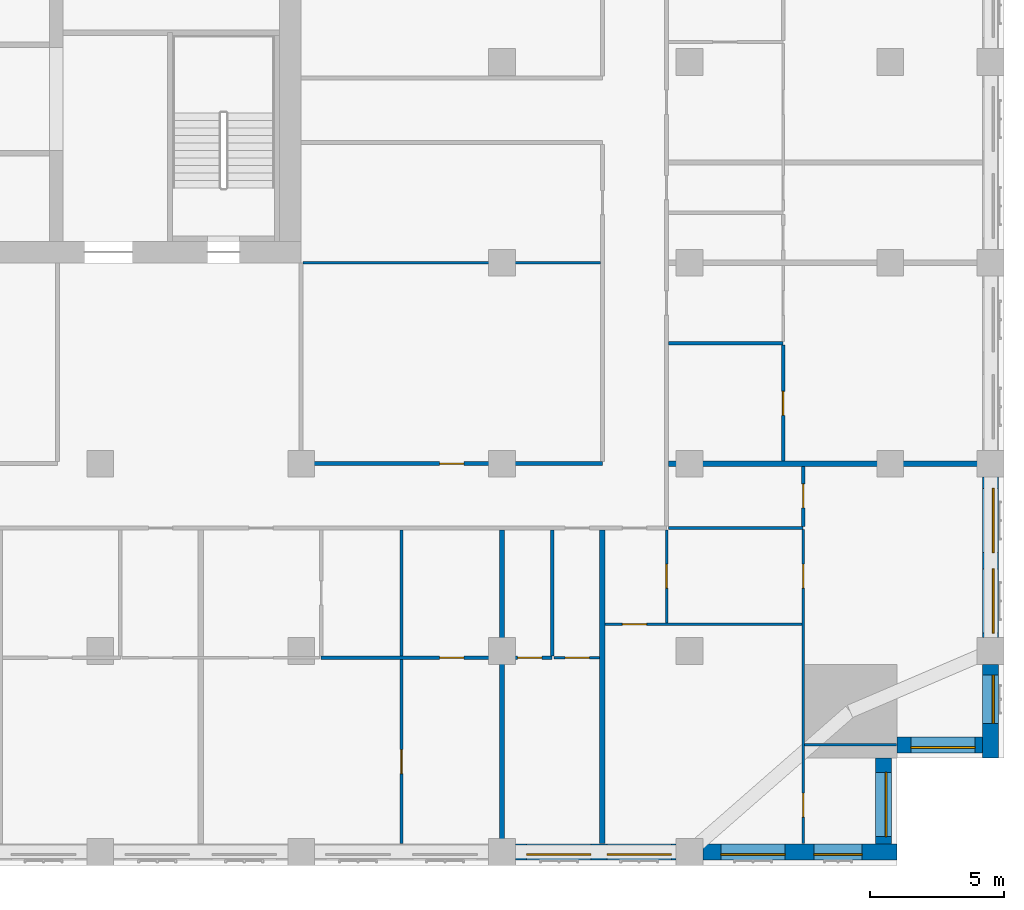
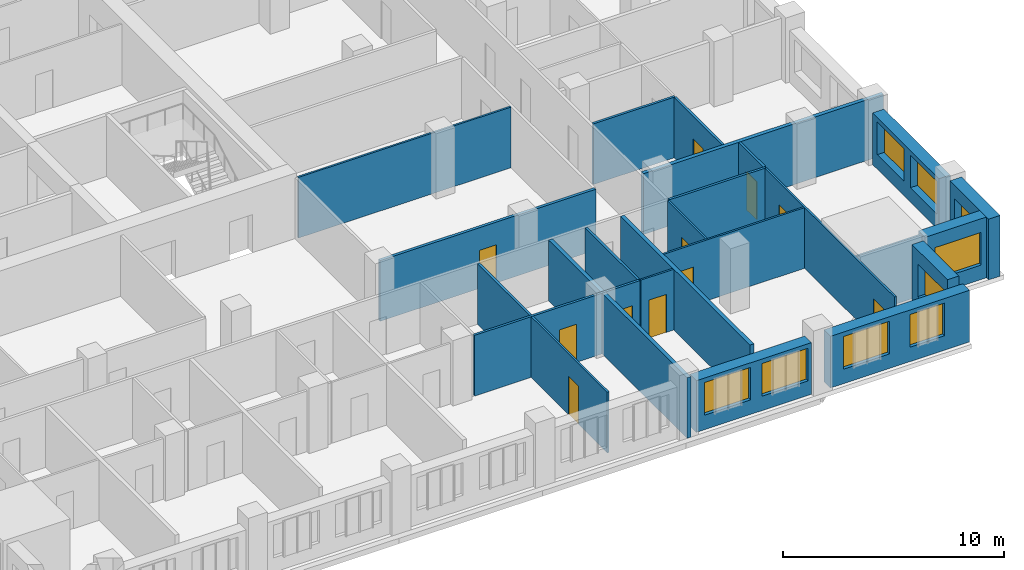
# One storey, part 6 of 14: 24 walls, 11 doors, 9 windows, 20 openings.
"""IFC4 building model written with IfcOpenShell, lengths in metres."""

from ifc_helpers import new_model, si_unit, direction, frame, frame_2d, origin, place, context, subcontext, project, spatial, rectangle, extrude, material, layer, layer_set, type_object, element, fill, save


model = new_model("IFC4")

# Units and contexts
model_context = context("Model", 3, precision=1e-05, world=origin(), true_north=direction((0.0, 1.0)))
body_context = subcontext(model_context, "Body", "Model", "MODEL_VIEW")
ifc_project = project(units=[si_unit("LENGTHUNIT", "METRE"), si_unit("AREAUNIT", "SQUARE_METRE"), si_unit("VOLUMEUNIT", "CUBIC_METRE"), si_unit("PLANEANGLEUNIT", "RADIAN"), si_unit("MASSUNIT", "GRAM", prefix="KILO")], contexts=[model_context])

# Site, building, storey
site_placement = place(None, origin())
site = spatial("IfcSite", under=ifc_project, at=site_placement, CompositionType="ELEMENT")
building_placement = place(site_placement, origin())
building = spatial("IfcBuilding", under=site, at=building_placement, Name="Tamorin Gate", CompositionType="ELEMENT")
storey_placement = place(building_placement, frame((0.0, 0.0, 148.199951171875)))
storey = spatial("IfcBuildingStorey", under=building, at=storey_placement, Name="L36", CompositionType="ELEMENT", Elevation=148.199951171875)

# Wall, openings, windows
ifc_material_1 = material(Name="Precast concrete C40/50", Category="concrete")
ifc_layer_1 = layer(ifc_material_1, 0.60009765625)
ifc_layer_set_1 = layer_set([ifc_layer_1], Name="Precast concrete C40/50")
wall_type_1 = type_object("IfcWallType", Name="Board-marked concrete facade panel 600", PredefinedType="SOLIDWALL", material=ifc_layer_set_1)
wall_1_placement = place(storey_placement, frame((68.0, 38.0, 0.0), z_axis=(0.0, 0.0, 1.0), x_axis=(1.0, 0.0, 0.0)))
wall_1 = element("IfcWall", 1, at=wall_1_placement, inside=storey, type_object=wall_type_1, Name="Facade panel", PredefinedType="SOLIDWALL", context=body_context, shape_type="SweptSolid", body=[
    extrude(rectangle(XDim=6.0, YDim=0.60009765625, at=frame_2d((3.0, 0.0))), origin(), (0.0, 0.0, 1.0), 2.85009765625),
])
opening_1_placement = place(wall_1_placement, frame((0.425048828125, 0.0, 0.800048828125)))
opening_1 = element("IfcOpeningElement", 2, at=opening_1_placement, cuts=wall_1, Name="Opening WN1", PredefinedType="OPENING", context=body_context, shape_type="SweptSolid", body=[
    extrude(rectangle(XDim=2.39990234375, YDim=1.800048828125, at=frame_2d((1.199951171875, 0.89990234375))), frame((0.0, 0.31005859375, 0.0), z_axis=(0.0, -1.0, 0.0), x_axis=(1.0, 0.0, 0.0)), (0.0, 0.0, 1.0), 0.6201171875),
])
opening_2_placement = place(wall_1_placement, frame((3.425048828125, 0.0, 0.800048828125)))
opening_2 = element("IfcOpeningElement", 3, at=opening_2_placement, cuts=wall_1, Name="Opening WN1", PredefinedType="OPENING", context=body_context, shape_type="SweptSolid", body=[
    extrude(rectangle(XDim=2.39990234375, YDim=1.800048828125, at=frame_2d((1.199951171875, 0.89990234375))), frame((0.0, 0.31005859375, 0.0), z_axis=(0.0, -1.0, 0.0), x_axis=(1.0, 0.0, 0.0)), (0.0, 0.0, 1.0), 0.6201171875),
])
ifc_material_2 = material(Name="Clear glass in aluminium frame", Category="aluminium")
window_type_1 = type_object("IfcWindowType", Name="Deep-set window 2400x1800", PartitioningType="SINGLE_PANEL", PredefinedType="WINDOW", material=ifc_material_2)
window_1_placement = place(opening_1_placement, origin())
window_1 = element("IfcWindow", 4, at=window_1_placement, inside=storey, type_object=window_type_1, Name="Deep-set window", OverallHeight=1.800048828125, OverallWidth=2.39990234375, PartitioningType="SINGLE_PANEL", PredefinedType="WINDOW", context=body_context, shape_type="SweptSolid", body=[
    extrude(rectangle(XDim=2.39990234375, YDim=1.800048828125, at=frame_2d((1.199951171875, 0.89990234375))), frame((0.0, -0.070068359375, 0.0), z_axis=(0.0, -1.0, 0.0), x_axis=(1.0, 0.0, 0.0)), (0.0, 0.0, 1.0), 0.06005859375),
])
fill(opening_1, window_1)
window_2_placement = place(opening_2_placement, origin())
window_2 = element("IfcWindow", 5, at=window_2_placement, inside=storey, type_object=window_type_1, Name="Deep-set window", OverallHeight=1.800048828125, OverallWidth=2.39990234375, PartitioningType="SINGLE_PANEL", PredefinedType="WINDOW", context=body_context, shape_type="SweptSolid", body=[
    extrude(rectangle(XDim=2.39990234375, YDim=1.800048828125, at=frame_2d((1.199951171875, 0.89990234375))), frame((0.0, -0.070068359375, 0.0), z_axis=(0.0, -1.0, 0.0), x_axis=(1.0, 0.0, 0.0)), (0.0, 0.0, 1.0), 0.06005859375),
])
fill(opening_2, window_2)

wall_2_placement = place(storey_placement, frame((75.0, 38.0, 0.0), z_axis=(0.0, 0.0, 1.0), x_axis=(1.0, 0.0, 0.0)))
wall_2 = element("IfcWall", 6, at=wall_2_placement, inside=storey, type_object=wall_type_1, Name="Facade panel", PredefinedType="SOLIDWALL", context=body_context, shape_type="SweptSolid", body=[
    extrude(rectangle(XDim=7.25, YDim=0.60009765625, at=frame_2d((3.625, 0.0))), origin(), (0.0, 0.0, 1.0), 2.85009765625),
])
opening_3_placement = place(wall_2_placement, frame((0.675048828125, 0.0, 0.800048828125)))
opening_3 = element("IfcOpeningElement", 7, at=opening_3_placement, cuts=wall_2, Name="Opening WN1", PredefinedType="OPENING", context=body_context, shape_type="SweptSolid", body=[
    extrude(rectangle(XDim=2.39990234375, YDim=1.800048828125, at=frame_2d((1.199951171875, 0.89990234375))), frame((0.0, 0.31005859375, 0.0), z_axis=(0.0, -1.0, 0.0), x_axis=(1.0, 0.0, 0.0)), (0.0, 0.0, 1.0), 0.6201171875),
])
opening_4_placement = place(wall_2_placement, frame((4.14990234375, 0.0, 0.800048828125)))
opening_4 = element("IfcOpeningElement", 8, at=opening_4_placement, cuts=wall_2, Name="Opening WN2", PredefinedType="OPENING", context=body_context, shape_type="SweptSolid", body=[
    extrude(rectangle(XDim=1.800048828125, YDim=1.800048828125, at=frame_2d((0.89990234375, 0.89990234375))), frame((0.0, 0.31005859375, 0.0), z_axis=(0.0, -1.0, 0.0), x_axis=(1.0, 0.0, 0.0)), (0.0, 0.0, 1.0), 0.6201171875),
])
window_type_2 = type_object("IfcWindowType", Name="Deep-set window 1800x1800", PartitioningType="SINGLE_PANEL", PredefinedType="WINDOW", material=ifc_material_2)
window_3_placement = place(opening_4_placement, origin())
window_3 = element("IfcWindow", 9, at=window_3_placement, inside=storey, type_object=window_type_2, Name="Deep-set window", OverallHeight=1.800048828125, OverallWidth=1.800048828125, PartitioningType="SINGLE_PANEL", PredefinedType="WINDOW", context=body_context, shape_type="SweptSolid", body=[
    extrude(rectangle(XDim=1.800048828125, YDim=1.800048828125, at=frame_2d((0.89990234375, 0.89990234375))), frame((0.0, -0.070068359375, 0.0), z_axis=(0.0, -1.0, 0.0), x_axis=(1.0, 0.0, 0.0)), (0.0, 0.0, 1.0), 0.06005859375),
])
fill(opening_4, window_3)
window_4_placement = place(opening_3_placement, origin())
window_4 = element("IfcWindow", 10, at=window_4_placement, inside=storey, type_object=window_type_1, Name="Deep-set window", OverallHeight=1.800048828125, OverallWidth=2.39990234375, PartitioningType="SINGLE_PANEL", PredefinedType="WINDOW", context=body_context, shape_type="SweptSolid", body=[
    extrude(rectangle(XDim=2.39990234375, YDim=1.800048828125, at=frame_2d((1.199951171875, 0.89990234375))), frame((0.0, -0.070068359375, 0.0), z_axis=(0.0, -1.0, 0.0), x_axis=(1.0, 0.0, 0.0)), (0.0, 0.0, 1.0), 0.06005859375),
])
fill(opening_3, window_4)

# Wall, opening, window
wall_3_placement = place(storey_placement, frame((81.75, 38.300048828125, 0.0), z_axis=(0.0, 0.0, 1.0), x_axis=(0.0, 1.0, 0.0)))
wall_3 = element("IfcWall", 11, at=wall_3_placement, inside=storey, type_object=wall_type_1, Name="Facade panel", PredefinedType="SOLIDWALL", context=body_context, shape_type="SweptSolid", body=[
    extrude(rectangle(XDim=3.199951171875, YDim=0.60009765625, at=frame_2d((1.60009765625, 0.0))), origin(), (0.0, 0.0, 1.0), 3.35009765625),
])
opening_5_placement = place(wall_3_placement, frame((0.27490234375, 0.0, 0.800048828125)))
opening_5 = element("IfcOpeningElement", 12, at=opening_5_placement, cuts=wall_3, Name="Opening WN1", PredefinedType="OPENING", context=body_context, shape_type="SweptSolid", body=[
    extrude(rectangle(XDim=2.39990234375, YDim=1.800048828125, at=frame_2d((1.199951171875, 0.89990234375))), frame((0.0, 0.31005859375, 0.0), z_axis=(0.0, -1.0, 0.0), x_axis=(1.0, 0.0, 0.0)), (0.0, 0.0, 1.0), 0.6201171875),
])
window_5_placement = place(opening_5_placement, origin())
window_5 = element("IfcWindow", 13, at=window_5_placement, inside=storey, type_object=window_type_1, Name="Deep-set window", OverallHeight=1.800048828125, OverallWidth=2.39990234375, PartitioningType="SINGLE_PANEL", PredefinedType="WINDOW", context=body_context, shape_type="SweptSolid", body=[
    extrude(rectangle(XDim=2.39990234375, YDim=1.800048828125, at=frame_2d((1.199951171875, 0.89990234375))), frame((0.0, -0.070068359375, 0.0), z_axis=(0.0, -1.0, 0.0), x_axis=(1.0, 0.0, 0.0)), (0.0, 0.0, 1.0), 0.06005859375),
])
fill(opening_5, window_5)

wall_4_placement = place(storey_placement, frame((82.25, 42.0, 0.0), z_axis=(0.0, 0.0, 1.0), x_axis=(1.0, 0.0, 0.0)))
wall_4 = element("IfcWall", 14, at=wall_4_placement, inside=storey, type_object=wall_type_1, Name="Facade panel", PredefinedType="SOLIDWALL", context=body_context, shape_type="SweptSolid", body=[
    extrude(rectangle(XDim=3.199951171875, YDim=0.60009765625, at=frame_2d((1.60009765625, 0.0))), origin(), (0.0, 0.0, 1.0), 3.35009765625),
])
opening_6_placement = place(wall_4_placement, frame((0.52490234375, 0.0, 0.800048828125)))
opening_6 = element("IfcOpeningElement", 15, at=opening_6_placement, cuts=wall_4, Name="Opening WN1", PredefinedType="OPENING", context=body_context, shape_type="SweptSolid", body=[
    extrude(rectangle(XDim=2.39990234375, YDim=1.800048828125, at=frame_2d((1.199951171875, 0.89990234375))), frame((0.0, 0.31005859375, 0.0), z_axis=(0.0, -1.0, 0.0), x_axis=(1.0, 0.0, 0.0)), (0.0, 0.0, 1.0), 0.6201171875),
])
window_6_placement = place(opening_6_placement, origin())
window_6 = element("IfcWindow", 16, at=window_6_placement, inside=storey, type_object=window_type_1, Name="Deep-set window", OverallHeight=1.800048828125, OverallWidth=2.39990234375, PartitioningType="SINGLE_PANEL", PredefinedType="WINDOW", context=body_context, shape_type="SweptSolid", body=[
    extrude(rectangle(XDim=2.39990234375, YDim=1.800048828125, at=frame_2d((1.199951171875, 0.89990234375))), frame((0.0, -0.070068359375, 0.0), z_axis=(0.0, -1.0, 0.0), x_axis=(1.0, 0.0, 0.0)), (0.0, 0.0, 1.0), 0.06005859375),
])
fill(opening_6, window_6)

wall_5_placement = place(storey_placement, frame((85.75, 41.5, 0.0), z_axis=(0.0, 0.0, 1.0), x_axis=(0.0, 1.0, 0.0)))
wall_5 = element("IfcWall", 17, at=wall_5_placement, inside=storey, type_object=wall_type_1, Name="Facade panel", PredefinedType="SOLIDWALL", context=body_context, shape_type="SweptSolid", body=[
    extrude(rectangle(XDim=3.5, YDim=0.60009765625, at=frame_2d((1.75, 0.0))), origin(), (0.0, 0.0, 1.0), 3.35009765625),
])
opening_7_placement = place(wall_5_placement, frame((1.300048828125, 0.0, 0.800048828125)))
opening_7 = element("IfcOpeningElement", 18, at=opening_7_placement, cuts=wall_5, Name="Opening WN2", PredefinedType="OPENING", context=body_context, shape_type="SweptSolid", body=[
    extrude(rectangle(XDim=1.800048828125, YDim=1.800048828125, at=frame_2d((0.89990234375, 0.89990234375))), frame((0.0, 0.31005859375, 0.0), z_axis=(0.0, -1.0, 0.0), x_axis=(1.0, 0.0, 0.0)), (0.0, 0.0, 1.0), 0.6201171875),
])
window_7_placement = place(opening_7_placement, origin())
window_7 = element("IfcWindow", 19, at=window_7_placement, inside=storey, type_object=window_type_2, Name="Deep-set window", OverallHeight=1.800048828125, OverallWidth=1.800048828125, PartitioningType="SINGLE_PANEL", PredefinedType="WINDOW", context=body_context, shape_type="SweptSolid", body=[
    extrude(rectangle(XDim=1.800048828125, YDim=1.800048828125, at=frame_2d((0.89990234375, 0.89990234375))), frame((0.0, -0.070068359375, 0.0), z_axis=(0.0, -1.0, 0.0), x_axis=(1.0, 0.0, 0.0)), (0.0, 0.0, 1.0), 0.06005859375),
])
fill(opening_7, window_7)

# Wall, openings, windows
wall_6_placement = place(storey_placement, frame((85.75, 46.0, 0.0), z_axis=(0.0, 0.0, 1.0), x_axis=(0.0, 1.0, 0.0)))
wall_6 = element("IfcWall", 20, at=wall_6_placement, inside=storey, type_object=wall_type_1, Name="Facade panel", PredefinedType="SOLIDWALL", context=body_context, shape_type="SweptSolid", body=[
    extrude(rectangle(XDim=6.0, YDim=0.60009765625, at=frame_2d((3.0, 0.0))), origin(), (0.0, 0.0, 1.0), 2.85009765625),
])
opening_8_placement = place(wall_6_placement, frame((0.175048828125, 0.0, 0.800048828125)))
opening_8 = element("IfcOpeningElement", 21, at=opening_8_placement, cuts=wall_6, Name="Opening WN1", PredefinedType="OPENING", context=body_context, shape_type="SweptSolid", body=[
    extrude(rectangle(XDim=2.39990234375, YDim=1.800048828125, at=frame_2d((1.199951171875, 0.89990234375))), frame((0.0, 0.31005859375, 0.0), z_axis=(0.0, -1.0, 0.0), x_axis=(1.0, 0.0, 0.0)), (0.0, 0.0, 1.0), 0.6201171875),
])
opening_9_placement = place(wall_6_placement, frame((3.175048828125, 0.0, 0.800048828125)))
opening_9 = element("IfcOpeningElement", 22, at=opening_9_placement, cuts=wall_6, Name="Opening WN1", PredefinedType="OPENING", context=body_context, shape_type="SweptSolid", body=[
    extrude(rectangle(XDim=2.39990234375, YDim=1.800048828125, at=frame_2d((1.199951171875, 0.89990234375))), frame((0.0, 0.31005859375, 0.0), z_axis=(0.0, -1.0, 0.0), x_axis=(1.0, 0.0, 0.0)), (0.0, 0.0, 1.0), 0.6201171875),
])
window_8_placement = place(opening_8_placement, origin())
window_8 = element("IfcWindow", 23, at=window_8_placement, inside=storey, type_object=window_type_1, Name="Deep-set window", OverallHeight=1.800048828125, OverallWidth=2.39990234375, PartitioningType="SINGLE_PANEL", PredefinedType="WINDOW", context=body_context, shape_type="SweptSolid", body=[
    extrude(rectangle(XDim=2.39990234375, YDim=1.800048828125, at=frame_2d((1.199951171875, 0.89990234375))), frame((0.0, -0.070068359375, 0.0), z_axis=(0.0, -1.0, 0.0), x_axis=(1.0, 0.0, 0.0)), (0.0, 0.0, 1.0), 0.06005859375),
])
fill(opening_8, window_8)
window_9_placement = place(opening_9_placement, origin())
window_9 = element("IfcWindow", 24, at=window_9_placement, inside=storey, type_object=window_type_1, Name="Deep-set window", OverallHeight=1.800048828125, OverallWidth=2.39990234375, PartitioningType="SINGLE_PANEL", PredefinedType="WINDOW", context=body_context, shape_type="SweptSolid", body=[
    extrude(rectangle(XDim=2.39990234375, YDim=1.800048828125, at=frame_2d((1.199951171875, 0.89990234375))), frame((0.0, -0.070068359375, 0.0), z_axis=(0.0, -1.0, 0.0), x_axis=(1.0, 0.0, 0.0)), (0.0, 0.0, 1.0), 0.06005859375),
])
fill(opening_9, window_9)

# Wall, opening, door
ifc_material_3 = material(Name="Gypsum board partition")
ifc_layer_2 = layer(ifc_material_3, 0.14990234375)
ifc_layer_set_2 = layer_set([ifc_layer_2], Name="Corridor wall 150")
wall_type_2 = type_object("IfcWallType", Name="Corridor wall 150", PredefinedType="PARTITIONING", material=ifc_layer_set_2)
wall_7_placement = place(storey_placement, frame((60.0, 52.5, 0.0), z_axis=(0.0, 0.0, 1.0), x_axis=(1.0, 0.0, 0.0)))
wall_7 = element("IfcWall", 25, at=wall_7_placement, inside=storey, type_object=wall_type_2, Name="Corridor wall 150", PredefinedType="PARTITIONING", context=body_context, shape_type="SweptSolid", body=[
    extrude(rectangle(XDim=11.25, YDim=0.14990234375, at=frame_2d((5.625, 0.0))), origin(), (0.0, 0.0, 1.0), 3.35009765625),
])
opening_10_placement = place(wall_7_placement, frame((5.175048828125, 0.0, 0.0)))
opening_10 = element("IfcOpeningElement", 26, at=opening_10_placement, cuts=wall_7, Name="Opening DS2069", PredefinedType="OPENING", context=body_context, shape_type="SweptSolid", body=[
    extrude(rectangle(XDim=0.89990234375, YDim=2.10009765625, at=frame_2d((0.449951171875, 1.050048828125))), frame((0.0, 0.0849609375, 0.0), z_axis=(0.0, -1.0, 0.0), x_axis=(1.0, 0.0, 0.0)), (0.0, 0.0, 1.0), 0.169921875),
])
ifc_material_4 = material(Name="Timber door leaf", Category="wood")
door_type_1 = type_object("IfcDoorType", Name="Door 900 x 2100 FD30S", OperationType="NOTDEFINED", PredefinedType="DOOR", material=ifc_material_4)
door_1_placement = place(opening_10_placement, origin())
door_1 = element("IfcDoor", 27, at=door_1_placement, inside=storey, type_object=door_type_1, Name="Door DS2069", OperationType="SINGLE_SWING_LEFT", OverallHeight=2.10009765625, OverallWidth=0.89990234375, PredefinedType="DOOR", context=body_context, shape_type="SweptSolid", body=[
    extrude(rectangle(XDim=0.89990234375, YDim=2.10009765625, at=frame_2d((0.449951171875, 1.050048828125))), frame((0.0, 0.02490234375, 0.0), z_axis=(0.0, -1.0, 0.0), x_axis=(1.0, 0.0, 0.0)), (0.0, 0.0, 1.0), 0.050048828125),
])
fill(opening_10, door_1)

# Walls
ifc_layer_3 = layer(ifc_material_3, 0.199951171875)
ifc_layer_set_3 = layer_set([ifc_layer_3], Name="Demising wall 200")
wall_type_3 = type_object("IfcWallType", Name="Demising wall 200", PredefinedType="PARTITIONING", material=ifc_layer_set_3)
for number, where, z_axis, x_axis, name in (
    (28, (73.72509765625, 52.5, 0.0), (0.0, 0.0, 1.0), (1.0, 0.0, 0.0), "Demising wall 200"),
    (29, (67.5, 37.5, 0.0), (0.0, 0.0, 1.0), (0.0, 1.0, 0.0), "Demising wall 200"),
):
    element("IfcWall", number, at=place(storey_placement, frame(where, z_axis=z_axis, x_axis=x_axis)), inside=storey, type_object=wall_type_3, Name=name, PredefinedType="PARTITIONING", context=body_context, shape_type="SweptSolid", body=[
        extrude(rectangle(XDim=12.52490234375, YDim=0.199951171875, at=frame_2d((6.262451171875, 0.0))), origin(), (0.0, 0.0, 1.0), 3.35009765625),
    ])
wall_8_placement = place(storey_placement, frame((71.25, 38.31005859375, 0.0), z_axis=(0.0, 0.0, 1.0), x_axis=(0.0, 1.0, 0.0)))
element("IfcWall", 30, at=wall_8_placement, inside=storey, type_object=wall_type_3, Name="Demising wall 200", PredefinedType="PARTITIONING", context=body_context, shape_type="SweptSolid", body=[
    extrude(rectangle(XDim=11.71484375, YDim=0.199951171875, at=frame_2d((5.857421875, 0.0))), origin(), (0.0, 0.0, 1.0), 3.35009765625),
])
ifc_layer_4 = layer(ifc_material_3, 0.10009765625)
ifc_layer_set_4 = layer_set([ifc_layer_4], Name="Room partition 100")
wall_type_4 = type_object("IfcWallType", Name="Room partition 100", PredefinedType="PARTITIONING", material=ifc_layer_set_4)
wall_9_placement = place(storey_placement, frame((78.800048828125, 42.0, 0.0), z_axis=(0.0, 0.0, 1.0), x_axis=(1.0, 0.0, 0.0)))
element("IfcWall", 31, at=wall_9_placement, inside=storey, type_object=wall_type_4, Name="Room partition 100", PredefinedType="PARTITIONING", context=body_context, shape_type="SweptSolid", body=[
    extrude(rectangle(XDim=3.43994140625, YDim=0.10009765625, at=frame_2d((1.719970703125, 0.0))), origin(), (0.0, 0.0, 1.0), 3.35009765625),
])

# Wall, opening, door
wall_10_placement = place(storey_placement, frame((69.4375, 45.25, 0.0), z_axis=(0.0, 0.0, 1.0), x_axis=(1.0, 0.0, 0.0)))
wall_10 = element("IfcWall", 32, at=wall_10_placement, inside=storey, type_object=wall_type_4, Name="Room partition 100", PredefinedType="PARTITIONING", context=body_context, shape_type="SweptSolid", body=[
    extrude(rectangle(XDim=1.71240234375, YDim=0.10009765625, at=frame_2d((0.856201171875, 0.0))), origin(), (0.0, 0.0, 1.0), 3.35009765625),
])
opening_11_placement = place(wall_10_placement, frame((0.425048828125, 0.0, 0.0)))
opening_11 = element("IfcOpeningElement", 33, at=opening_11_placement, cuts=wall_10, Name="Opening DS2018", PredefinedType="OPENING", context=body_context, shape_type="SweptSolid", body=[
    extrude(rectangle(XDim=0.89990234375, YDim=2.10009765625, at=frame_2d((0.449951171875, 1.050048828125))), frame((0.0, 0.06005859375, 0.0), z_axis=(0.0, -1.0, 0.0), x_axis=(1.0, 0.0, 0.0)), (0.0, 0.0, 1.0), 0.1201171875),
])
door_type_2 = type_object("IfcDoorType", Name="Door 900 x 2100", OperationType="NOTDEFINED", PredefinedType="DOOR", material=ifc_material_4)
door_2_placement = place(opening_11_placement, origin())
door_2 = element("IfcDoor", 34, at=door_2_placement, inside=storey, type_object=door_type_2, Name="Door DS2018", OperationType="SINGLE_SWING_LEFT", OverallHeight=2.10009765625, OverallWidth=0.89990234375, PredefinedType="DOOR", context=body_context, shape_type="SweptSolid", body=[
    extrude(rectangle(XDim=0.89990234375, YDim=2.10009765625, at=frame_2d((0.449951171875, 1.050048828125))), frame((0.0, 0.02490234375, 0.0), z_axis=(0.0, -1.0, 0.0), x_axis=(1.0, 0.0, 0.0)), (0.0, 0.0, 1.0), 0.050048828125),
])
fill(opening_11, door_2)

wall_11_placement = place(storey_placement, frame((71.35009765625, 46.5, 0.0), z_axis=(0.0, 0.0, 1.0), x_axis=(1.0, 0.0, 0.0)))
wall_11 = element("IfcWall", 35, at=wall_11_placement, inside=storey, type_object=wall_type_4, Name="Room partition 100", PredefinedType="PARTITIONING", context=body_context, shape_type="SweptSolid", body=[
    extrude(rectangle(XDim=7.349853515625, YDim=0.10009765625, at=frame_2d((3.6748046875, 0.0))), origin(), (0.0, 0.0, 1.0), 3.35009765625),
])
opening_12_placement = place(wall_11_placement, frame((0.64990234375, 0.0, 0.0)))
opening_12 = element("IfcOpeningElement", 36, at=opening_12_placement, cuts=wall_11, Name="Opening DS2055", PredefinedType="OPENING", context=body_context, shape_type="SweptSolid", body=[
    extrude(rectangle(XDim=0.89990234375, YDim=2.10009765625, at=frame_2d((0.449951171875, 1.050048828125))), frame((0.0, 0.06005859375, 0.0), z_axis=(0.0, -1.0, 0.0), x_axis=(1.0, 0.0, 0.0)), (0.0, 0.0, 1.0), 0.1201171875),
])
door_3_placement = place(opening_12_placement, origin())
door_3 = element("IfcDoor", 37, at=door_3_placement, inside=storey, type_object=door_type_2, Name="Door DS2055", OperationType="SINGLE_SWING_RIGHT", OverallHeight=2.10009765625, OverallWidth=0.89990234375, PredefinedType="DOOR", context=body_context, shape_type="SweptSolid", body=[
    extrude(rectangle(XDim=0.89990234375, YDim=2.10009765625, at=frame_2d((0.449951171875, 1.050048828125))), frame((0.0, 0.02490234375, 0.0), z_axis=(0.0, -1.0, 0.0), x_axis=(1.0, 0.0, 0.0)), (0.0, 0.0, 1.0), 0.050048828125),
])
fill(opening_12, door_3)

# Wall
wall_12_placement = place(storey_placement, frame((60.074951171875, 60.0, 0.0), z_axis=(0.0, 0.0, 1.0), x_axis=(1.0, 0.0, 0.0)))
element("IfcWall", 38, at=wall_12_placement, inside=storey, type_object=wall_type_4, Name="Room partition 100", PredefinedType="PARTITIONING", context=body_context, shape_type="SweptSolid", body=[
    extrude(rectangle(XDim=11.10009765625, YDim=0.10009765625, at=frame_2d((5.550048828125, 0.0))), origin(), (0.0, 0.0, 1.0), 3.35009765625),
])

# Wall, opening, door
wall_13_placement = place(storey_placement, frame((63.75, 38.31005859375, 0.0), z_axis=(0.0, 0.0, 1.0), x_axis=(0.0, 1.0, 0.0)))
wall_13 = element("IfcWall", 39, at=wall_13_placement, inside=storey, type_object=wall_type_4, Name="Room partition 100", PredefinedType="PARTITIONING", context=body_context, shape_type="SweptSolid", body=[
    extrude(rectangle(XDim=6.87744140625, YDim=0.10009765625, at=frame_2d((3.438720703125, 0.0))), origin(), (0.0, 0.0, 1.0), 3.35009765625),
])
opening_13_placement = place(wall_13_placement, frame((2.614990234375, 0.0, 0.0)))
opening_13 = element("IfcOpeningElement", 40, at=opening_13_placement, cuts=wall_13, Name="Opening DS2015", PredefinedType="OPENING", context=body_context, shape_type="SweptSolid", body=[
    extrude(rectangle(XDim=0.89990234375, YDim=2.10009765625, at=frame_2d((0.449951171875, 1.050048828125))), frame((0.0, 0.06005859375, 0.0), z_axis=(0.0, -1.0, 0.0), x_axis=(1.0, 0.0, 0.0)), (0.0, 0.0, 1.0), 0.1201171875),
])
door_4_placement = place(opening_13_placement, origin())
door_4 = element("IfcDoor", 41, at=door_4_placement, inside=storey, type_object=door_type_2, Name="Door DS2015", OperationType="SINGLE_SWING_LEFT", OverallHeight=2.10009765625, OverallWidth=0.89990234375, PredefinedType="DOOR", context=body_context, shape_type="SweptSolid", body=[
    extrude(rectangle(XDim=0.89990234375, YDim=2.10009765625, at=frame_2d((0.449951171875, 1.050048828125))), frame((0.0, 0.02490234375, 0.0), z_axis=(0.0, -1.0, 0.0), x_axis=(1.0, 0.0, 0.0)), (0.0, 0.0, 1.0), 0.050048828125),
])
fill(opening_13, door_4)

wall_14_placement = place(storey_placement, frame((73.64990234375, 46.550048828125, 0.0), z_axis=(0.0, 0.0, 1.0), x_axis=(0.0, 1.0, 0.0)))
wall_14 = element("IfcWall", 42, at=wall_14_placement, inside=storey, type_object=wall_type_4, Name="Room partition 100", PredefinedType="PARTITIONING", context=body_context, shape_type="SweptSolid", body=[
    extrude(rectangle(XDim=3.474853515625, YDim=0.10009765625, at=frame_2d((1.7373046875, 0.0))), origin(), (0.0, 0.0, 1.0), 3.35009765625),
])
opening_14_placement = place(wall_14_placement, frame((1.300048828125, 0.0, 0.0)))
opening_14 = element("IfcOpeningElement", 43, at=opening_14_placement, cuts=wall_14, Name="Opening DS2056", PredefinedType="OPENING", context=body_context, shape_type="SweptSolid", body=[
    extrude(rectangle(XDim=0.89990234375, YDim=2.10009765625, at=frame_2d((0.449951171875, 1.050048828125))), frame((0.0, 0.06005859375, 0.0), z_axis=(0.0, -1.0, 0.0), x_axis=(1.0, 0.0, 0.0)), (0.0, 0.0, 1.0), 0.1201171875),
])
door_5_placement = place(opening_14_placement, origin())
door_5 = element("IfcDoor", 44, at=door_5_placement, inside=storey, type_object=door_type_2, Name="Door DS2056", OperationType="SINGLE_SWING_RIGHT", OverallHeight=2.10009765625, OverallWidth=0.89990234375, PredefinedType="DOOR", context=body_context, shape_type="SweptSolid", body=[
    extrude(rectangle(XDim=0.89990234375, YDim=2.10009765625, at=frame_2d((0.449951171875, 1.050048828125))), frame((0.0, 0.02490234375, 0.0), z_axis=(0.0, -1.0, 0.0), x_axis=(1.0, 0.0, 0.0)), (0.0, 0.0, 1.0), 0.050048828125),
])
fill(opening_14, door_5)

# Wall, openings, doors
wall_15_placement = place(storey_placement, frame((78.75, 38.31005859375, 0.0), z_axis=(0.0, 0.0, 1.0), x_axis=(0.0, 1.0, 0.0)))
wall_15 = element("IfcWall", 45, at=wall_15_placement, inside=storey, type_object=wall_type_4, Name="Room partition 100", PredefinedType="PARTITIONING", context=body_context, shape_type="SweptSolid", body=[
    extrude(rectangle(XDim=11.7275390625, YDim=0.10009765625, at=frame_2d((5.86376953125, 0.0))), origin(), (0.0, 0.0, 1.0), 3.35009765625),
])
opening_15_placement = place(wall_15_placement, frame((0.989990234375, 0.0, 0.0)))
opening_15 = element("IfcOpeningElement", 46, at=opening_15_placement, cuts=wall_15, Name="Opening DS2057", PredefinedType="OPENING", context=body_context, shape_type="SweptSolid", body=[
    extrude(rectangle(XDim=0.89990234375, YDim=2.10009765625, at=frame_2d((0.449951171875, 1.050048828125))), frame((0.0, 0.06005859375, 0.0), z_axis=(0.0, -1.0, 0.0), x_axis=(1.0, 0.0, 0.0)), (0.0, 0.0, 1.0), 0.1201171875),
])
opening_16_placement = place(wall_15_placement, frame((9.5400390625, 0.0, 0.0)))
opening_16 = element("IfcOpeningElement", 47, at=opening_16_placement, cuts=wall_15, Name="Opening DS2058", PredefinedType="OPENING", context=body_context, shape_type="SweptSolid", body=[
    extrude(rectangle(XDim=0.89990234375, YDim=2.10009765625, at=frame_2d((0.449951171875, 1.050048828125))), frame((0.0, 0.06005859375, 0.0), z_axis=(0.0, -1.0, 0.0), x_axis=(1.0, 0.0, 0.0)), (0.0, 0.0, 1.0), 0.1201171875),
])
door_6_placement = place(opening_15_placement, origin())
door_6 = element("IfcDoor", 48, at=door_6_placement, inside=storey, type_object=door_type_2, Name="Door DS2057", OperationType="SINGLE_SWING_LEFT", OverallHeight=2.10009765625, OverallWidth=0.89990234375, PredefinedType="DOOR", context=body_context, shape_type="SweptSolid", body=[
    extrude(rectangle(XDim=0.89990234375, YDim=2.10009765625, at=frame_2d((0.449951171875, 1.050048828125))), frame((0.0, 0.02490234375, 0.0), z_axis=(0.0, -1.0, 0.0), x_axis=(1.0, 0.0, 0.0)), (0.0, 0.0, 1.0), 0.050048828125),
])
fill(opening_15, door_6)
door_7_placement = place(opening_16_placement, origin())
door_7 = element("IfcDoor", 49, at=door_7_placement, inside=storey, type_object=door_type_2, Name="Door DS2058", OperationType="SINGLE_SWING_RIGHT", OverallHeight=2.10009765625, OverallWidth=0.89990234375, PredefinedType="DOOR", context=body_context, shape_type="SweptSolid", body=[
    extrude(rectangle(XDim=0.89990234375, YDim=2.10009765625, at=frame_2d((0.449951171875, 1.050048828125))), frame((0.0, 0.02490234375, 0.0), z_axis=(0.0, -1.0, 0.0), x_axis=(1.0, 0.0, 0.0)), (0.0, 0.0, 1.0), 0.050048828125),
])
fill(opening_16, door_7)

ifc_layer_5 = layer(ifc_material_3, 0.125)
ifc_layer_set_5 = layer_set([ifc_layer_5], Name="Wet wall 125")
wall_type_5 = type_object("IfcWallType", Name="Wet wall 125", PredefinedType="PARTITIONING", material=ifc_layer_set_5)
wall_16_placement = place(storey_placement, frame((60.75, 45.25, 0.0), z_axis=(0.0, 0.0, 1.0), x_axis=(1.0, 0.0, 0.0)))
wall_16 = element("IfcWall", 50, at=wall_16_placement, inside=storey, type_object=wall_type_5, Name="Wet wall 125", PredefinedType="PARTITIONING", context=body_context, shape_type="SweptSolid", body=[
    extrude(rectangle(XDim=8.625, YDim=0.125, at=frame_2d((4.3125, 0.0))), origin(), (0.0, 0.0, 1.0), 3.35009765625),
])
opening_17_placement = place(wall_16_placement, frame((4.425048828125, 0.0, 0.0)))
opening_17 = element("IfcOpeningElement", 51, at=opening_17_placement, cuts=wall_16, Name="Opening DS2014", PredefinedType="OPENING", context=body_context, shape_type="SweptSolid", body=[
    extrude(rectangle(XDim=0.89990234375, YDim=2.10009765625, at=frame_2d((0.449951171875, 1.050048828125))), frame((0.0, 0.072509765625, 0.0), z_axis=(0.0, -1.0, 0.0), x_axis=(1.0, 0.0, 0.0)), (0.0, 0.0, 1.0), 0.14501953125),
])
opening_18_placement = place(wall_16_placement, frame((7.33740234375, 0.0, 0.0)))
opening_18 = element("IfcOpeningElement", 52, at=opening_18_placement, cuts=wall_16, Name="Opening DS2016", PredefinedType="OPENING", context=body_context, shape_type="SweptSolid", body=[
    extrude(rectangle(XDim=0.89990234375, YDim=2.10009765625, at=frame_2d((0.449951171875, 1.050048828125))), frame((0.0, 0.072509765625, 0.0), z_axis=(0.0, -1.0, 0.0), x_axis=(1.0, 0.0, 0.0)), (0.0, 0.0, 1.0), 0.14501953125),
])
door_8_placement = place(opening_17_placement, origin())
door_8 = element("IfcDoor", 53, at=door_8_placement, inside=storey, type_object=door_type_2, Name="Door DS2014", OperationType="SINGLE_SWING_LEFT", OverallHeight=2.10009765625, OverallWidth=0.89990234375, PredefinedType="DOOR", context=body_context, shape_type="SweptSolid", body=[
    extrude(rectangle(XDim=0.89990234375, YDim=2.10009765625, at=frame_2d((0.449951171875, 1.050048828125))), frame((0.0, 0.02490234375, 0.0), z_axis=(0.0, -1.0, 0.0), x_axis=(1.0, 0.0, 0.0)), (0.0, 0.0, 1.0), 0.050048828125),
])
fill(opening_17, door_8)
door_9_placement = place(opening_18_placement, origin())
door_9 = element("IfcDoor", 54, at=door_9_placement, inside=storey, type_object=door_type_2, Name="Door DS2016", OperationType="SINGLE_SWING_RIGHT", OverallHeight=2.10009765625, OverallWidth=0.89990234375, PredefinedType="DOOR", context=body_context, shape_type="SweptSolid", body=[
    extrude(rectangle(XDim=0.89990234375, YDim=2.10009765625, at=frame_2d((0.449951171875, 1.050048828125))), frame((0.0, 0.02490234375, 0.0), z_axis=(0.0, -1.0, 0.0), x_axis=(1.0, 0.0, 0.0)), (0.0, 0.0, 1.0), 0.050048828125),
])
fill(opening_18, door_9)

# Walls
wall_17_placement = place(storey_placement, frame((73.72509765625, 50.10009765625, 0.0), z_axis=(0.0, 0.0, 1.0), x_axis=(1.0, 0.0, 0.0)))
element("IfcWall", 55, at=wall_17_placement, inside=storey, type_object=wall_type_5, Name="Wet wall 125", PredefinedType="PARTITIONING", context=body_context, shape_type="SweptSolid", body=[
    extrude(rectangle(XDim=5.02490234375, YDim=0.125, at=frame_2d((2.512451171875, 0.0))), origin(), (0.0, 0.0, 1.0), 3.35009765625),
])
wall_18_placement = place(storey_placement, frame((73.72509765625, 57.0, 0.0), z_axis=(0.0, 0.0, 1.0), x_axis=(1.0, 0.0, 0.0)))
element("IfcWall", 56, at=wall_18_placement, inside=storey, type_object=wall_type_5, Name="Wet wall 125", PredefinedType="PARTITIONING", context=body_context, shape_type="SweptSolid", body=[
    extrude(rectangle(XDim=4.27490234375, YDim=0.125, at=frame_2d((2.137451171875, 0.0))), origin(), (0.0, 0.0, 1.0), 3.35009765625),
])
for number, where, z_axis, x_axis, name in (
    (57, (63.75, 45.3125, 0.0), (0.0, 0.0, 1.0), (0.0, 1.0, 0.0), "Wet wall 125"),
    (58, (69.375, 45.3125, 0.0), (0.0, 0.0, 1.0), (0.0, 1.0, 0.0), "Wet wall 125"),
):
    element("IfcWall", number, at=place(storey_placement, frame(where, z_axis=z_axis, x_axis=x_axis)), inside=storey, type_object=wall_type_5, Name=name, PredefinedType="PARTITIONING", context=body_context, shape_type="SweptSolid", body=[
        extrude(rectangle(XDim=4.71240234375, YDim=0.125, at=frame_2d((2.356201171875, 0.0))), origin(), (0.0, 0.0, 1.0), 3.35009765625),
    ])

# Wall, opening, door
wall_19_placement = place(storey_placement, frame((78.0, 52.60009765625, 0.0), z_axis=(0.0, 0.0, 1.0), x_axis=(0.0, 1.0, 0.0)))
wall_19 = element("IfcWall", 59, at=wall_19_placement, inside=storey, type_object=wall_type_5, Name="Wet wall 125", PredefinedType="PARTITIONING", context=body_context, shape_type="SweptSolid", body=[
    extrude(rectangle(XDim=4.33740234375, YDim=0.125, at=frame_2d((2.168701171875, 0.0))), origin(), (0.0, 0.0, 1.0), 3.35009765625),
])
opening_19_placement = place(wall_19_placement, frame((1.699951171875, 0.0, 0.0)))
opening_19 = element("IfcOpeningElement", 60, at=opening_19_placement, cuts=wall_19, Name="Opening DS2037", PredefinedType="OPENING", context=body_context, shape_type="SweptSolid", body=[
    extrude(rectangle(XDim=0.89990234375, YDim=2.10009765625, at=frame_2d((0.449951171875, 1.050048828125))), frame((0.0, 0.072509765625, 0.0), z_axis=(0.0, -1.0, 0.0), x_axis=(1.0, 0.0, 0.0)), (0.0, 0.0, 1.0), 0.14501953125),
])
door_10_placement = place(opening_19_placement, origin())
door_10 = element("IfcDoor", 61, at=door_10_placement, inside=storey, type_object=door_type_2, Name="Door DS2037", OperationType="SINGLE_SWING_LEFT", OverallHeight=2.10009765625, OverallWidth=0.89990234375, PredefinedType="DOOR", context=body_context, shape_type="SweptSolid", body=[
    extrude(rectangle(XDim=0.89990234375, YDim=2.10009765625, at=frame_2d((0.449951171875, 1.050048828125))), frame((0.0, 0.02490234375, 0.0), z_axis=(0.0, -1.0, 0.0), x_axis=(1.0, 0.0, 0.0)), (0.0, 0.0, 1.0), 0.050048828125),
])
fill(opening_19, door_10)

wall_20_placement = place(storey_placement, frame((78.75, 50.16259765625, 0.0), z_axis=(0.0, 0.0, 1.0), x_axis=(0.0, 1.0, 0.0)))
wall_20 = element("IfcWall", 62, at=wall_20_placement, inside=storey, type_object=wall_type_5, Name="Wet wall 125", PredefinedType="PARTITIONING", context=body_context, shape_type="SweptSolid", body=[
    extrude(rectangle(XDim=2.2373046875, YDim=0.125, at=frame_2d((1.11865234375, 0.0))), origin(), (0.0, 0.0, 1.0), 3.35009765625),
])
opening_20_placement = place(wall_20_placement, frame((0.6875, 0.0, 0.0)))
opening_20 = element("IfcOpeningElement", 63, at=opening_20_placement, cuts=wall_20, Name="Opening DS2059", PredefinedType="OPENING", context=body_context, shape_type="SweptSolid", body=[
    extrude(rectangle(XDim=0.89990234375, YDim=2.10009765625, at=frame_2d((0.449951171875, 1.050048828125))), frame((0.0, 0.072509765625, 0.0), z_axis=(0.0, -1.0, 0.0), x_axis=(1.0, 0.0, 0.0)), (0.0, 0.0, 1.0), 0.14501953125),
])
door_11_placement = place(opening_20_placement, origin())
door_11 = element("IfcDoor", 64, at=door_11_placement, inside=storey, type_object=door_type_2, Name="Door DS2059", OperationType="SINGLE_SWING_LEFT", OverallHeight=2.10009765625, OverallWidth=0.89990234375, PredefinedType="DOOR", context=body_context, shape_type="SweptSolid", body=[
    extrude(rectangle(XDim=0.89990234375, YDim=2.10009765625, at=frame_2d((0.449951171875, 1.050048828125))), frame((0.0, 0.02490234375, 0.0), z_axis=(0.0, -1.0, 0.0), x_axis=(1.0, 0.0, 0.0)), (0.0, 0.0, 1.0), 0.050048828125),
])
fill(opening_20, door_11)

save(model, "model.ifc")
